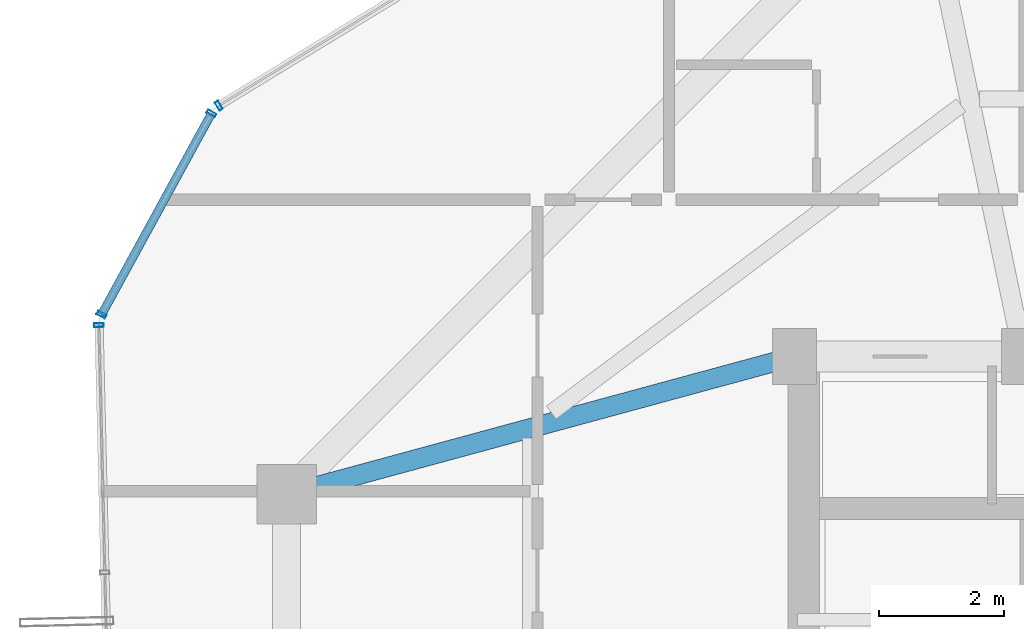
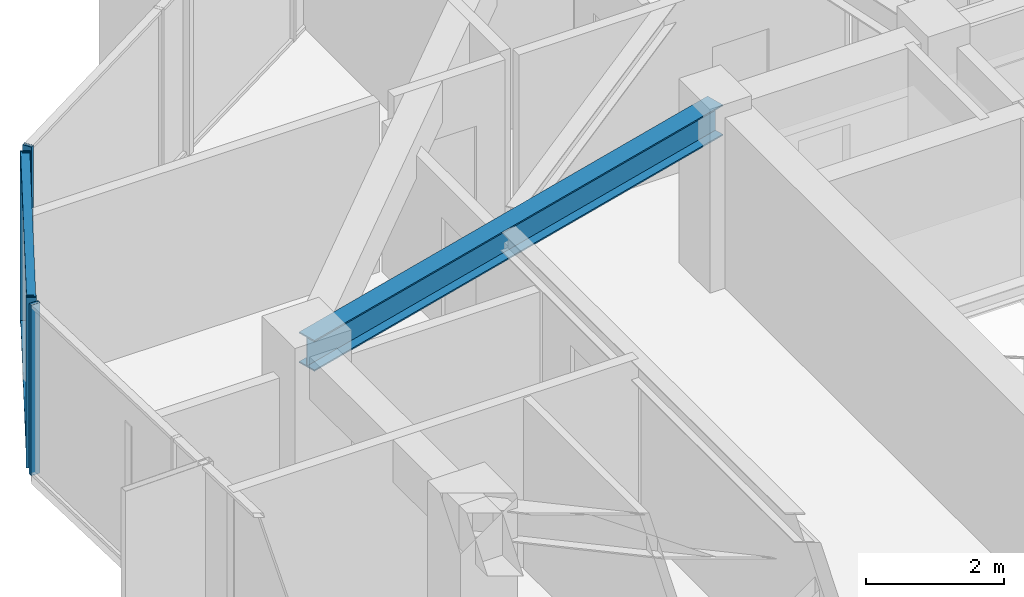
# One storey, part 16 of 32: 6 members, 1 beam, 3 elements without a shape of their own.
"""IFC4 building model written with IfcOpenShell, lengths in metres."""

import ifcopenshell
import ifcopenshell.guid

model = None  # the IFC model being written
_history = None  # IfcOwnerHistory: only IFC2X3 demands one
_inside = {}  # id of a spatial element -> (the spatial element, [elements in it])
_under = {}  # id of a project, library or spatial element -> (it, [spatial elements below it])
_declared = {}  # id of a project -> (the project, [libraries it declares])
_typed = {}  # id of a type object -> (the type object, [elements of that type])
_made_of = {}  # id of a material, layer set ... -> (it, [elements and type objects made of it])


def new_model(schema):
    """Start an empty IFC model of exactly this schema.

    Asked for "IFC4X3", IfcOpenShell would pick the latest addendum, in which some entities
    have other attributes; the version numbers below select the first issue.
    IFC2X3 requires an IfcOwnerHistory on every rooted entity: one is made here for all.
    """
    global model, _history
    if schema == "IFC4X3":
        model = ifcopenshell.file(schema_version=(4, 3, 0, 0))
    else:
        model = ifcopenshell.file(schema=schema)
    _inside.clear()
    _under.clear()
    _declared.clear()
    _typed.clear()
    _made_of.clear()
    _history = None
    if model.schema == "IFC2X3":
        org = make("IfcOrganization", Name="unknown")
        user = make(
            "IfcPersonAndOrganization",
            ThePerson=make("IfcPerson", FamilyName="unknown"),
            TheOrganization=org,
        )
        app = make(
            "IfcApplication",
            ApplicationDeveloper=org,
            Version="unknown",
            ApplicationFullName="unknown",
            ApplicationIdentifier="unknown",
        )
        _history = make(
            "IfcOwnerHistory",
            OwningUser=user,
            OwningApplication=app,
            ChangeAction="ADDED",
            CreationDate=0,
        )
    return model


def make(cls, **values):
    """One entity of the class cls with the attributes given. An attribute that is None is left unset."""
    return model.create_entity(
        cls, **{name: value for name, value in values.items() if value is not None}
    )


def rooted(cls, **values):
    """An entity with a GlobalId (a new one), such as an element, a storey or a relation."""
    return make(cls, GlobalId=ifcopenshell.guid.new(), OwnerHistory=_history, **values)


def si_unit(unit_type, name, prefix=None):
    """IfcSIUnit, for example si_unit("LENGTHUNIT", "METRE", prefix="MILLI")."""
    return make("IfcSIUnit", UnitType=unit_type, Prefix=prefix, Name=name)


def assignment(units):
    """IfcUnitAssignment: the units of a project."""
    return None if units is None else make("IfcUnitAssignment", Units=units)


def point(xyz):
    """IfcCartesianPoint."""
    return None if xyz is None else make("IfcCartesianPoint", Coordinates=xyz)


def direction(xyz):
    """IfcDirection."""
    return None if xyz is None else make("IfcDirection", DirectionRatios=xyz)


def frame(location, z_axis=None, x_axis=None):
    """IfcAxis2Placement3D, a coordinate frame: its origin and axes. An axis left out is left unset."""
    return make(
        "IfcAxis2Placement3D",
        Location=point(location),
        Axis=direction(z_axis),
        RefDirection=direction(x_axis),
    )


def frame_2d(location, x_axis=None):
    """IfcAxis2Placement2D, a coordinate frame in the plane: its origin and x axis."""
    return make(
        "IfcAxis2Placement2D", Location=point(location), RefDirection=direction(x_axis)
    )


def origin():
    """The frame at (0, 0, 0) with its axes left unset."""
    return frame((0.0, 0.0, 0.0))


def origin_2d():
    """The frame at (0, 0) in the plane with its x axis left unset."""
    return frame_2d((0.0, 0.0))


def place(relative_to, where):
    """IfcLocalPlacement: puts the frame where relative to a parent placement (None: the world)."""
    return make(
        "IfcLocalPlacement", PlacementRelTo=relative_to, RelativePlacement=where
    )


def context(
    kind, dimensions, precision=None, world=None, true_north=None, identifier=None
):
    """IfcGeometricRepresentationContext, for example the 3D "Model" context."""
    return make(
        "IfcGeometricRepresentationContext",
        ContextIdentifier=identifier,
        ContextType=kind,
        CoordinateSpaceDimension=dimensions,
        Precision=precision,
        WorldCoordinateSystem=world,
        TrueNorth=true_north,
    )


def subcontext(parent, identifier, kind, view, scale=None):
    """IfcGeometricRepresentationSubContext, for example "Body" below "Model"."""
    return make(
        "IfcGeometricRepresentationSubContext",
        ContextIdentifier=identifier,
        ContextType=kind,
        ParentContext=parent,
        TargetScale=scale,
        TargetView=view,
    )


def project(units=None, contexts=None):
    """IfcProject with its units and contexts."""
    return rooted(
        "IfcProject",
        Name="project",
        RepresentationContexts=contexts,
        UnitsInContext=assignment(units),
    )


def spatial(cls, under=None, at=None, **own):
    """A site, building, storey or space (cls), placed at a placement, below another one or the project."""
    s = rooted(cls, ObjectPlacement=at, **own)
    if under is not None:
        _under.setdefault(under.id(), (under, []))[1].append(s)
    return s


def profile(cls, at=None, kind="AREA", **sizes):
    """A parametric profile (cls). Its sizes go by their IFC names, for example OverallWidth=200.0."""
    return make(cls, ProfileType=kind, Position=at, **sizes)


def hollow_rectangle(**sizes):
    """IfcRectangleHollowProfileDef."""
    return profile("IfcRectangleHollowProfileDef", **sizes)


def i_section(**sizes):
    """IfcIShapeProfileDef."""
    return profile("IfcIShapeProfileDef", **sizes)


def extrude(swept, where, along, depth):
    """IfcExtrudedAreaSolid: the profile swept, set in the frame where, extruded along a direction by depth."""
    return make(
        "IfcExtrudedAreaSolid",
        SweptArea=swept,
        Position=where,
        ExtrudedDirection=direction(along),
        Depth=depth,
    )


def shape(context_of_items, identifier, shape_type, items):
    """IfcShapeRepresentation: the items that make up one representation, for example the "Body"."""
    return make(
        "IfcShapeRepresentation",
        ContextOfItems=context_of_items,
        RepresentationIdentifier=identifier,
        RepresentationType=shape_type,
        Items=items,
    )


def source(mapping_origin, context_of_items, identifier, shape_type, items):
    """IfcRepresentationMap: a shape defined once, which mapped items show again and again."""
    return make(
        "IfcRepresentationMap",
        MappingOrigin=mapping_origin,
        MappedRepresentation=shape(context_of_items, identifier, shape_type, items),
    )


def transform(
    local_origin,
    x_axis=None,
    y_axis=None,
    z_axis=None,
    scale=None,
    scale2=None,
    scale3=None,
    uniform=True,
):
    """IfcCartesianTransformationOperator3D, or its non-uniform kind. x_axis, y_axis, z_axis: its Axis1, 2, 3."""
    if uniform:
        return make(
            "IfcCartesianTransformationOperator3D",
            Axis1=direction(x_axis),
            Axis2=direction(y_axis),
            LocalOrigin=point(local_origin),
            Scale=scale,
            Axis3=direction(z_axis),
        )
    return make(
        "IfcCartesianTransformationOperator3DnonUniform",
        Axis1=direction(x_axis),
        Axis2=direction(y_axis),
        LocalOrigin=point(local_origin),
        Scale=scale,
        Axis3=direction(z_axis),
        Scale2=scale2,
        Scale3=scale3,
    )


def mapped(mapping_source, mapping_target):
    """IfcMappedItem: shows the shape of a source again, moved by a transform."""
    return make(
        "IfcMappedItem", MappingSource=mapping_source, MappingTarget=mapping_target
    )


def material(Name=None, Category=None):
    """IfcMaterial."""
    return make("IfcMaterial", Name=Name, Category=Category)


def layer(
    of_material, thickness, ventilated=None, Name=None, Category=None, Priority=None
):
    """IfcMaterialLayer: one layer of a wall or slab, of a material (None: an air gap)."""
    return make(
        "IfcMaterialLayer",
        Material=of_material,
        LayerThickness=thickness,
        IsVentilated=ventilated,
        Name=Name,
        Category=Category,
        Priority=Priority,
    )


def layer_set(layers, Name=None):
    """IfcMaterialLayerSet."""
    return make("IfcMaterialLayerSet", MaterialLayers=layers, LayerSetName=Name)


def material_profile(
    of_material, cross_section, Name=None, Category=None, Priority=None
):
    """IfcMaterialProfile: a cross section and its material."""
    return make(
        "IfcMaterialProfile",
        Name=Name,
        Material=of_material,
        Profile=cross_section,
        Priority=Priority,
        Category=Category,
    )


def profile_set(profiles, Name=None, composite=None):
    """IfcMaterialProfileSet."""
    return make(
        "IfcMaterialProfileSet",
        Name=Name,
        MaterialProfiles=profiles,
        CompositeProfile=composite,
    )


def made_of(thing, what):
    """Note that an element or type object is made of a material, layer set ...; save() writes the relation."""
    if what is not None:
        _made_of.setdefault(what.id(), (what, []))[1].append(thing)
    return thing


def type_object(cls, material=None, **own):
    """A type object (cls), such as IfcWallType, which elements share."""
    return made_of(rooted(cls, **own), material)


def element(
    cls,
    number,
    at=None,
    inside=None,
    cuts=None,
    type_object=None,
    material=None,
    context=None,
    identifier="Body",
    shape_type=None,
    held_by="IfcProductDefinitionShape",
    body=None,
    shapes=None,
    **own,
):
    """One element of the class cls, such as IfcWall. Its Tag is "e" and its number.

    at: its placement. inside: the storey or other place that contains it. cuts: it is an
    opening in that element (IfcRelVoidsElement). A single representation is given by context,
    identifier, shape_type and body (its items); several are given by shapes. held_by: the class
    of the entity that holds the representations. save() writes the other relations.
    """
    e = rooted(cls, Tag="e%d" % number, ObjectPlacement=at, **own)
    if body is not None:
        shapes = [shape(context, identifier, shape_type, body)]
    if shapes is not None:
        e.Representation = make(held_by, Representations=shapes)
    if inside is not None:
        _inside.setdefault(inside.id(), (inside, []))[1].append(e)
    if cuts is not None:
        rooted(
            "IfcRelVoidsElement", RelatingBuildingElement=cuts, RelatedOpeningElement=e
        )
    if type_object is not None:
        _typed.setdefault(type_object.id(), (type_object, []))[1].append(e)
    return made_of(e, material)


def aggregate(whole, parts):
    """IfcRelAggregates: a whole, such as a stair, and the parts it consists of."""
    return rooted("IfcRelAggregates", RelatingObject=whole, RelatedObjects=parts)


def save(model, path):
    """Write the relations noted so far, then the file.

    IfcRelAggregates (storeys below a building ...), IfcRelContainedInSpatialStructure (elements
    in a storey), IfcRelDefinesByType, IfcRelAssociatesMaterial and IfcRelDeclares: one each for
    every whole, place, type object, material and project.
    """
    for whole, parts in _under.values():
        aggregate(whole, parts)
    for where, things in _inside.values():
        rooted(
            "IfcRelContainedInSpatialStructure",
            RelatedElements=things,
            RelatingStructure=where,
        )
    for kind, things in _typed.values():
        rooted("IfcRelDefinesByType", RelatedObjects=things, RelatingType=kind)
    for what, things in _made_of.values():
        rooted("IfcRelAssociatesMaterial", RelatedObjects=things, RelatingMaterial=what)
    for by, libraries in _declared.values():
        rooted("IfcRelDeclares", RelatingContext=by, RelatedDefinitions=libraries)
    model.write(path)


model = new_model("IFC4")

# Units and contexts
model_context = context("Model", 3, precision=1e-05, world=origin(), true_north=direction((0.0, 1.0)))
body_context = subcontext(model_context, "Body", "Model", "MODEL_VIEW")
ifc_project = project(units=[si_unit("LENGTHUNIT", "METRE"), si_unit("AREAUNIT", "SQUARE_METRE"), si_unit("VOLUMEUNIT", "CUBIC_METRE"), si_unit("PLANEANGLEUNIT", "RADIAN"), si_unit("MASSUNIT", "GRAM", prefix="KILO")], contexts=[model_context])

# Site, building, storey
site_placement = place(None, origin())
site = spatial("IfcSite", under=ifc_project, at=site_placement, CompositionType="ELEMENT")
building_placement = place(site_placement, origin())
building = spatial("IfcBuilding", under=site, at=building_placement, Name="Veraguas Prism Commons", CompositionType="ELEMENT")
storey_placement = place(building_placement, frame((0.0, 0.0, 201.60009765625)))
storey = spatial("IfcBuildingStorey", under=building, at=storey_placement, Name="L57", CompositionType="ELEMENT", Elevation=201.60009765625)

# Beam
ifc_material_1 = material(Name="Steel ASTM A992 Grade 50", Category="steel")
ifc_material_profile_1 = material_profile(ifc_material_1, i_section(OverallWidth=0.31103515625, OverallDepth=0.5458984375, WebThickness=0.0146484375, FlangeThickness=0.023681640625, at=origin_2d()), Name="W530X165")
ifc_profile_set_1 = profile_set([ifc_material_profile_1], Name="Steel ASTM A992 Grade 50")
beam_type = type_object("IfcBeamType", Name="Zone 3 Radial Girder W530x165", PredefinedType="BEAM", material=ifc_profile_set_1)
beam_placement = place(storey_placement, frame((9.10009765625, 28.800048828125, 2.741943359375), z_axis=(0.965038506703, 0.262108146725, 0.0), x_axis=(-0.262108146725, 0.965038506703, 0.0)))
element("IfcBeam", 1, at=beam_placement, inside=storey, type_object=beam_type, Name="Radial Floor Girder L57-RD07", PredefinedType="BEAM", context=body_context, shape_type="SweptSolid", body=[
    extrude(i_section(OverallWidth=0.31103515625, OverallDepth=0.5458984375, WebThickness=0.0146484375, FlangeThickness=0.023681640625, at=origin_2d()), origin(), (0.0, 0.0, 1.0), 8.393310546875),
])

# Curtain wall, member
ifc_material_2 = material(Name="Anodised aluminium EN AW-6063 T6", Category="aluminium")
ifc_layer = layer(ifc_material_2, 0.14990234375, Name="Unitised Flush Curtain Wall Zone 3", Category="aluminium")
ifc_layer_set = layer_set([ifc_layer], Name="Anodised aluminium EN AW-6063 T6")
curtain_wall_type = type_object("IfcCurtainWallType", Name="Unitised Flush Curtain Wall Zone 3", PredefinedType="NOTDEFINED", material=ifc_layer_set)
curtain_wall_1_placement = place(storey_placement, origin())
curtain_wall_1 = element("IfcCurtainWall", 2, at=curtain_wall_1_placement, inside=storey, type_object=curtain_wall_type, Name="Tower Facade Curtain Wall L57-F2", PredefinedType="NOTDEFINED")
ifc_material_profile_2 = material_profile(ifc_material_2, hollow_rectangle(XDim=0.06005859375, YDim=0.14990234375, WallThickness=0.0029296875, at=origin_2d()), Name="AL60X150X3")
ifc_profile_set_2 = profile_set([ifc_material_profile_2], Name="Anodised aluminium EN AW-6063 T6")
member_type_1 = type_object("IfcMemberType", Name="Curtain Wall Mullion Upper AL 60x150x3", PredefinedType="MULLION", material=ifc_profile_set_2)
shared_shape_1 = source(origin(), body_context, "Body", "SweptSolid", [
    extrude(hollow_rectangle(XDim=0.06005859375, YDim=0.14990234375, WallThickness=0.0029296875, at=origin_2d()), origin(), (0.0, 0.0, 1.0), 3.014892578125),
])
member_1_placement = place(storey_placement, frame((8.019287109375, 35.000732421875, 0.0), z_axis=(0.0, 0.0, 1.0), x_axis=(-0.853914322581, -0.520413614052, 0.0)))
member_1 = element("IfcMember", 3, at=member_1_placement, type_object=member_type_1, Name="CW-Z3 Mullion 5", PredefinedType="MULLION", context=body_context, shape_type="MappedRepresentation", body=[
    mapped(shared_shape_1, transform((0.0, 0.0, 0.0), scale=1.0)),
])
aggregate(curtain_wall_1, [member_1])

curtain_wall_2_placement = place(storey_placement, origin())
curtain_wall_2 = element("IfcCurtainWall", 4, at=curtain_wall_2_placement, inside=storey, type_object=curtain_wall_type, Name="Tower Facade Curtain Wall L57-F3", PredefinedType="NOTDEFINED")
member_2_placement = place(storey_placement, frame((6.106689453125, 31.49853515625, 0.0), z_axis=(0.0, 0.0, 1.0), x_axis=(0.023737738629, -0.999718220182, 0.0)))
member_2 = element("IfcMember", 5, at=member_2_placement, type_object=member_type_1, Name="CW-Z3 Mullion 1", PredefinedType="MULLION", context=body_context, shape_type="MappedRepresentation", body=[
    mapped(shared_shape_1, transform((0.0, 0.0, 0.0), scale=1.0)),
])
aggregate(curtain_wall_2, [member_2])

# Curtain wall, members
curtain_wall_3_placement = place(storey_placement, origin())
curtain_wall_3 = element("IfcCurtainWall", 6, at=curtain_wall_3_placement, inside=storey, type_object=curtain_wall_type, Name="Chamfer Curtain Wall L57-C3", PredefinedType="NOTDEFINED")
member_3_placement = place(storey_placement, frame((7.8994140625, 34.874755859375, 0.0), z_axis=(0.0, 0.0, 1.0), x_axis=(-0.479303157198, -0.877649408078, 0.0)))
member_3 = element("IfcMember", 7, at=member_3_placement, type_object=member_type_1, Name="CW-Z3 Mullion 1", PredefinedType="MULLION", context=body_context, shape_type="MappedRepresentation", body=[
    mapped(shared_shape_1, transform((0.0, 0.0, 0.0), scale=1.0)),
])
member_4_placement = place(storey_placement, frame((6.147705078125, 31.667724609375, 0.0), z_axis=(0.0, 0.0, 1.0), x_axis=(-0.479303157198, -0.877649408078, 0.0)))
member_4 = element("IfcMember", 8, at=member_4_placement, type_object=member_type_1, Name="CW-Z3 Mullion 2", PredefinedType="MULLION", context=body_context, shape_type="MappedRepresentation", body=[
    mapped(shared_shape_1, transform((0.0, 0.0, 0.0), scale=1.0)),
])
ifc_material_profile_3 = material_profile(ifc_material_2, hollow_rectangle(XDim=0.054931640625, YDim=0.135009765625, WallThickness=0.0029296875, at=origin_2d()), Name="AL55X135X3")
ifc_profile_set_3 = profile_set([ifc_material_profile_3], Name="Anodised aluminium EN AW-6063 T6")
member_type_2 = type_object("IfcMemberType", Name="Curtain Wall Transom Standard AL 55x135x3", PredefinedType="USERDEFINED", material=ifc_profile_set_3)
shared_shape_2 = source(origin(), body_context, "Body", "SweptSolid", [
    extrude(hollow_rectangle(XDim=0.054931640625, YDim=0.135009765625, WallThickness=0.0029296875, at=origin_2d()), origin(), (0.0, 0.0, 1.0), 3.654296875),
])
member_5_placement = place(storey_placement, frame((7.8994140625, 34.874755859375, 0.02734375), z_axis=(-0.479362274505, -0.877617120265, 0.0), x_axis=(0.0, 0.0, 1.0)))
member_5 = element("IfcMember", 9, at=member_5_placement, type_object=member_type_2, Name="CW-Z3 Transom 1", ObjectType="TRANSOM", PredefinedType="USERDEFINED", context=body_context, shape_type="MappedRepresentation", body=[
    mapped(shared_shape_2, transform((0.0, 0.0, 0.0), scale=1.0)),
])
member_6_placement = place(storey_placement, frame((7.8994140625, 34.874755859375, 2.9873046875), z_axis=(-0.479362274505, -0.877617120265, 0.0), x_axis=(0.0, 0.0, 1.0)))
member_6 = element("IfcMember", 10, at=member_6_placement, type_object=member_type_2, Name="CW-Z3 Transom 2", ObjectType="TRANSOM", PredefinedType="USERDEFINED", context=body_context, shape_type="MappedRepresentation", body=[
    mapped(shared_shape_2, transform((0.0, 0.0, 0.0), scale=1.0)),
])
aggregate(curtain_wall_3, [member_3, member_4, member_5, member_6])

save(model, "model.ifc")
